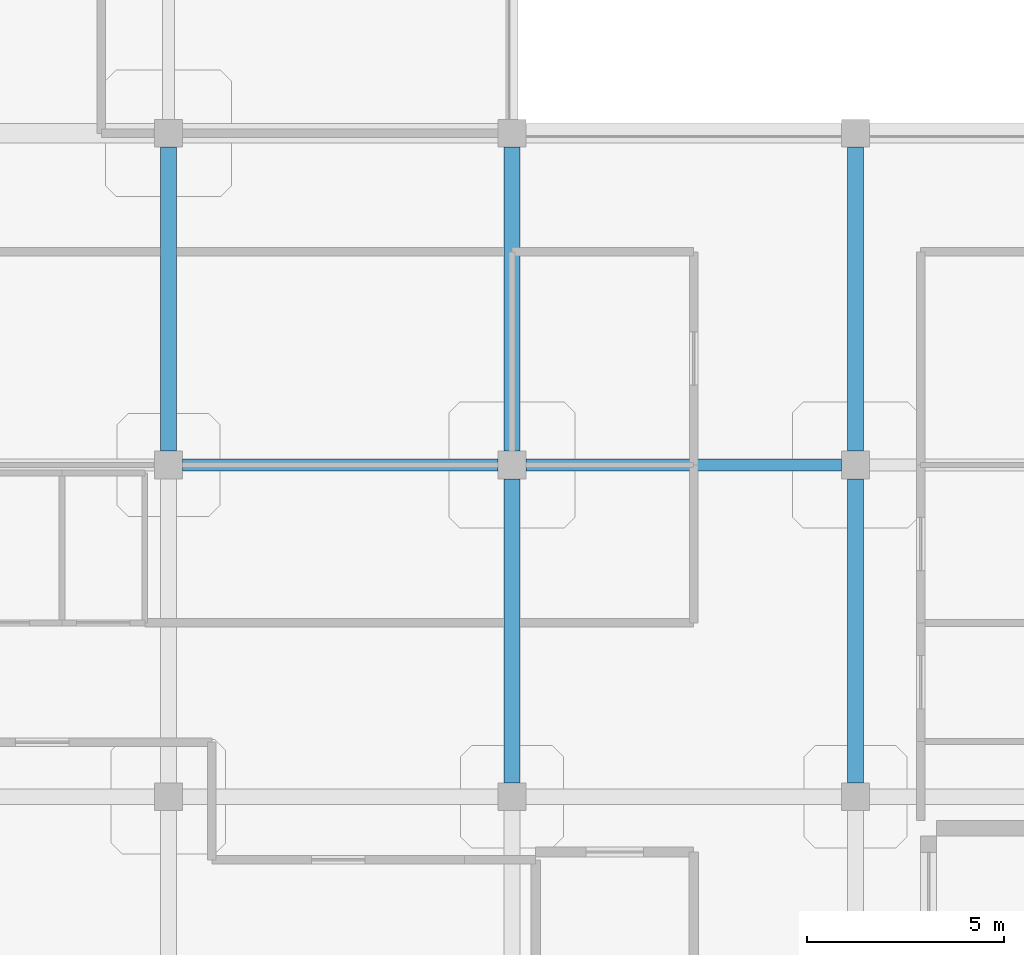
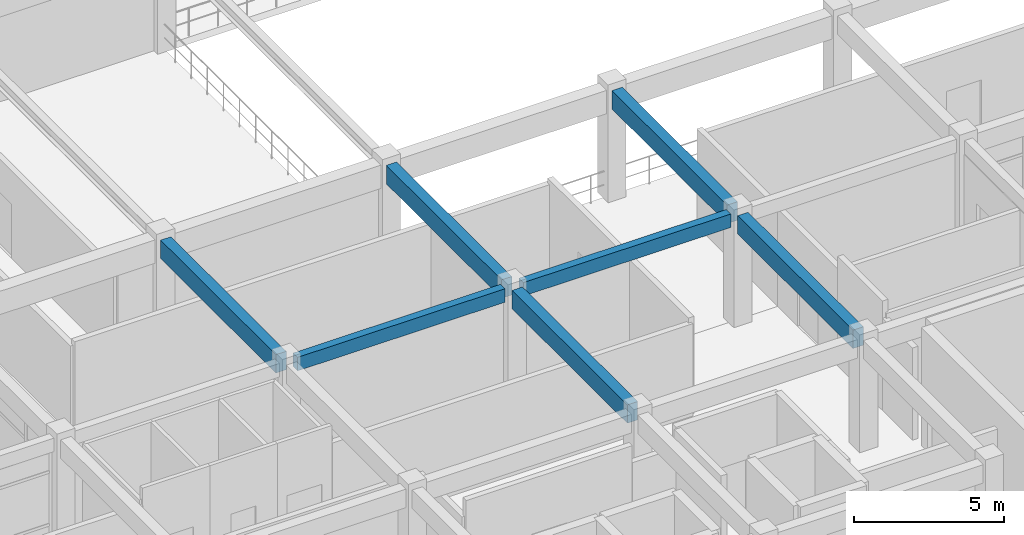
# One storey, part 17 of 64: 7 beams.
"""IFC4 building model written with IfcOpenShell, lengths in metres."""

import ifcopenshell
import ifcopenshell.guid

model = None  # the IFC model being written
_history = None  # IfcOwnerHistory: only IFC2X3 demands one
_inside = {}  # id of a spatial element -> (the spatial element, [elements in it])
_under = {}  # id of a project, library or spatial element -> (it, [spatial elements below it])
_declared = {}  # id of a project -> (the project, [libraries it declares])
_typed = {}  # id of a type object -> (the type object, [elements of that type])
_made_of = {}  # id of a material, layer set ... -> (it, [elements and type objects made of it])


def new_model(schema):
    """Start an empty IFC model of exactly this schema.

    Asked for "IFC4X3", IfcOpenShell would pick the latest addendum, in which some entities
    have other attributes; the version numbers below select the first issue.
    IFC2X3 requires an IfcOwnerHistory on every rooted entity: one is made here for all.
    """
    global model, _history
    if schema == "IFC4X3":
        model = ifcopenshell.file(schema_version=(4, 3, 0, 0))
    else:
        model = ifcopenshell.file(schema=schema)
    _inside.clear()
    _under.clear()
    _declared.clear()
    _typed.clear()
    _made_of.clear()
    _history = None
    if model.schema == "IFC2X3":
        org = make("IfcOrganization", Name="unknown")
        user = make(
            "IfcPersonAndOrganization",
            ThePerson=make("IfcPerson", FamilyName="unknown"),
            TheOrganization=org,
        )
        app = make(
            "IfcApplication",
            ApplicationDeveloper=org,
            Version="unknown",
            ApplicationFullName="unknown",
            ApplicationIdentifier="unknown",
        )
        _history = make(
            "IfcOwnerHistory",
            OwningUser=user,
            OwningApplication=app,
            ChangeAction="ADDED",
            CreationDate=0,
        )
    return model


def make(cls, **values):
    """One entity of the class cls with the attributes given. An attribute that is None is left unset."""
    return model.create_entity(
        cls, **{name: value for name, value in values.items() if value is not None}
    )


def rooted(cls, **values):
    """An entity with a GlobalId (a new one), such as an element, a storey or a relation."""
    return make(cls, GlobalId=ifcopenshell.guid.new(), OwnerHistory=_history, **values)


def si_unit(unit_type, name, prefix=None):
    """IfcSIUnit, for example si_unit("LENGTHUNIT", "METRE", prefix="MILLI")."""
    return make("IfcSIUnit", UnitType=unit_type, Prefix=prefix, Name=name)


def derived_unit(unit_type, elements):
    """IfcDerivedUnit: a product of units, each with its exponent."""
    return make(
        "IfcDerivedUnit",
        Elements=[
            make("IfcDerivedUnitElement", Unit=unit, Exponent=power)
            for unit, power in elements
        ],
        UnitType=unit_type,
    )


def assignment(units):
    """IfcUnitAssignment: the units of a project."""
    return None if units is None else make("IfcUnitAssignment", Units=units)


def point(xyz):
    """IfcCartesianPoint."""
    return None if xyz is None else make("IfcCartesianPoint", Coordinates=xyz)


def direction(xyz):
    """IfcDirection."""
    return None if xyz is None else make("IfcDirection", DirectionRatios=xyz)


def frame(location, z_axis=None, x_axis=None):
    """IfcAxis2Placement3D, a coordinate frame: its origin and axes. An axis left out is left unset."""
    return make(
        "IfcAxis2Placement3D",
        Location=point(location),
        Axis=direction(z_axis),
        RefDirection=direction(x_axis),
    )


def frame_2d(location, x_axis=None):
    """IfcAxis2Placement2D, a coordinate frame in the plane: its origin and x axis."""
    return make(
        "IfcAxis2Placement2D", Location=point(location), RefDirection=direction(x_axis)
    )


def origin():
    """The frame at (0, 0, 0) with its axes left unset."""
    return frame((0.0, 0.0, 0.0))


def origin_2d():
    """The frame at (0, 0) in the plane with its x axis left unset."""
    return frame_2d((0.0, 0.0))


def place(relative_to, where):
    """IfcLocalPlacement: puts the frame where relative to a parent placement (None: the world)."""
    return make(
        "IfcLocalPlacement", PlacementRelTo=relative_to, RelativePlacement=where
    )


def context(
    kind, dimensions, precision=None, world=None, true_north=None, identifier=None
):
    """IfcGeometricRepresentationContext, for example the 3D "Model" context."""
    return make(
        "IfcGeometricRepresentationContext",
        ContextIdentifier=identifier,
        ContextType=kind,
        CoordinateSpaceDimension=dimensions,
        Precision=precision,
        WorldCoordinateSystem=world,
        TrueNorth=true_north,
    )


def subcontext(parent, identifier, kind, view, scale=None):
    """IfcGeometricRepresentationSubContext, for example "Body" below "Model"."""
    return make(
        "IfcGeometricRepresentationSubContext",
        ContextIdentifier=identifier,
        ContextType=kind,
        ParentContext=parent,
        TargetScale=scale,
        TargetView=view,
    )


def project(units=None, contexts=None):
    """IfcProject with its units and contexts."""
    return rooted(
        "IfcProject",
        Name="project",
        RepresentationContexts=contexts,
        UnitsInContext=assignment(units),
    )


def spatial(cls, under=None, at=None, **own):
    """A site, building, storey or space (cls), placed at a placement, below another one or the project."""
    s = rooted(cls, ObjectPlacement=at, **own)
    if under is not None:
        _under.setdefault(under.id(), (under, []))[1].append(s)
    return s


def profile(cls, at=None, kind="AREA", **sizes):
    """A parametric profile (cls). Its sizes go by their IFC names, for example OverallWidth=200.0."""
    return make(cls, ProfileType=kind, Position=at, **sizes)


def rectangle(**sizes):
    """IfcRectangleProfileDef."""
    return profile("IfcRectangleProfileDef", **sizes)


def extrude(swept, where, along, depth):
    """IfcExtrudedAreaSolid: the profile swept, set in the frame where, extruded along a direction by depth."""
    return make(
        "IfcExtrudedAreaSolid",
        SweptArea=swept,
        Position=where,
        ExtrudedDirection=direction(along),
        Depth=depth,
    )


def shape(context_of_items, identifier, shape_type, items):
    """IfcShapeRepresentation: the items that make up one representation, for example the "Body"."""
    return make(
        "IfcShapeRepresentation",
        ContextOfItems=context_of_items,
        RepresentationIdentifier=identifier,
        RepresentationType=shape_type,
        Items=items,
    )


def material(Name=None, Category=None):
    """IfcMaterial."""
    return make("IfcMaterial", Name=Name, Category=Category)


def material_profile(
    of_material, cross_section, Name=None, Category=None, Priority=None
):
    """IfcMaterialProfile: a cross section and its material."""
    return make(
        "IfcMaterialProfile",
        Name=Name,
        Material=of_material,
        Profile=cross_section,
        Priority=Priority,
        Category=Category,
    )


def profile_set(profiles, Name=None, composite=None):
    """IfcMaterialProfileSet."""
    return make(
        "IfcMaterialProfileSet",
        Name=Name,
        MaterialProfiles=profiles,
        CompositeProfile=composite,
    )


def made_of(thing, what):
    """Note that an element or type object is made of a material, layer set ...; save() writes the relation."""
    if what is not None:
        _made_of.setdefault(what.id(), (what, []))[1].append(thing)
    return thing


def type_object(cls, material=None, **own):
    """A type object (cls), such as IfcWallType, which elements share."""
    return made_of(rooted(cls, **own), material)


def element(
    cls,
    number,
    at=None,
    inside=None,
    cuts=None,
    type_object=None,
    material=None,
    context=None,
    identifier="Body",
    shape_type=None,
    held_by="IfcProductDefinitionShape",
    body=None,
    shapes=None,
    **own,
):
    """One element of the class cls, such as IfcWall. Its Tag is "e" and its number.

    at: its placement. inside: the storey or other place that contains it. cuts: it is an
    opening in that element (IfcRelVoidsElement). A single representation is given by context,
    identifier, shape_type and body (its items); several are given by shapes. held_by: the class
    of the entity that holds the representations. save() writes the other relations.
    """
    e = rooted(cls, Tag="e%d" % number, ObjectPlacement=at, **own)
    if body is not None:
        shapes = [shape(context, identifier, shape_type, body)]
    if shapes is not None:
        e.Representation = make(held_by, Representations=shapes)
    if inside is not None:
        _inside.setdefault(inside.id(), (inside, []))[1].append(e)
    if cuts is not None:
        rooted(
            "IfcRelVoidsElement", RelatingBuildingElement=cuts, RelatedOpeningElement=e
        )
    if type_object is not None:
        _typed.setdefault(type_object.id(), (type_object, []))[1].append(e)
    return made_of(e, material)


def aggregate(whole, parts):
    """IfcRelAggregates: a whole, such as a stair, and the parts it consists of."""
    return rooted("IfcRelAggregates", RelatingObject=whole, RelatedObjects=parts)


def save(model, path):
    """Write the relations noted so far, then the file.

    IfcRelAggregates (storeys below a building ...), IfcRelContainedInSpatialStructure (elements
    in a storey), IfcRelDefinesByType, IfcRelAssociatesMaterial and IfcRelDeclares: one each for
    every whole, place, type object, material and project.
    """
    for whole, parts in _under.values():
        aggregate(whole, parts)
    for where, things in _inside.values():
        rooted(
            "IfcRelContainedInSpatialStructure",
            RelatedElements=things,
            RelatingStructure=where,
        )
    for kind, things in _typed.values():
        rooted("IfcRelDefinesByType", RelatedObjects=things, RelatingType=kind)
    for what, things in _made_of.values():
        rooted("IfcRelAssociatesMaterial", RelatedObjects=things, RelatingMaterial=what)
    for by, libraries in _declared.values():
        rooted("IfcRelDeclares", RelatingContext=by, RelatedDefinitions=libraries)
    model.write(path)


model = new_model("IFC4")

# Units and contexts
model_context = context("Model", 3, precision=1e-05, world=origin(), true_north=direction((0.0, 1.0)))
body_context = subcontext(model_context, "Body", "Model", "MODEL_VIEW")
ifc_project = project(units=[si_unit("LENGTHUNIT", "METRE"), si_unit("AREAUNIT", "SQUARE_METRE"), si_unit("VOLUMEUNIT", "CUBIC_METRE"), si_unit("PLANEANGLEUNIT", "RADIAN"), si_unit("MASSUNIT", "GRAM", prefix="KILO"), derived_unit("THERMALTRANSMITTANCEUNIT", [(si_unit("MASSUNIT", "GRAM", prefix="KILO"), 1), (si_unit("TIMEUNIT", "SECOND"), -3), (si_unit("THERMODYNAMICTEMPERATUREUNIT", "KELVIN"), -1)])], contexts=[model_context])

# Site, building, storey
site_placement = place(None, origin())
site = spatial("IfcSite", under=ifc_project, at=site_placement, CompositionType="ELEMENT")
building_placement = place(site_placement, origin())
building = spatial("IfcBuilding", under=site, at=building_placement, Name="Qinzheling Arcade Emporium", CompositionType="ELEMENT")
storey_placement = place(building_placement, frame((0.0, 0.0, 31.5)))
storey = spatial("IfcBuildingStorey", under=building, at=storey_placement, Name="L07", CompositionType="ELEMENT", Elevation=31.5)

# Beams
ifc_material = material(Name="Concrete C40", Category="concrete")
ifc_material_profile_1 = material_profile(ifc_material, rectangle(XDim=0.39990234375, YDim=0.75, at=origin_2d()), Name="RC 400x750", Category="concrete")
ifc_profile_set_1 = profile_set([ifc_material_profile_1], Name="Concrete C40")
beam_type_1 = type_object("IfcBeamType", Name="RC Interior Tie Beam 400x750 C40", PredefinedType="BEAM", material=ifc_profile_set_1)
for number, where, z_axis, x_axis, name in (
    (1, (43.5, 42.35009765625, 4.14501953125), (0.0, 1.0, 0.0), (-1.0, 0.0, 0.0), "Beam BM-L07-Y-6-F"),
    (2, (52.199951171875, 33.949951171875, 4.14501953125), (0.0, 1.0, 0.0), (-1.0, 0.0, 0.0), "Beam BM-L07-Y-7-E"),
    (3, (52.199951171875, 42.35009765625, 4.14501953125), (0.0, 1.0, 0.0), (-1.0, 0.0, 0.0), "Beam BM-L07-Y-7-F"),
    (4, (60.89990234375, 33.949951171875, 4.14501953125), (0.0, 1.0, 0.0), (-1.0, 0.0, 0.0), "Beam BM-L07-Y-8-E"),
    (5, (60.89990234375, 42.35009765625, 4.14501953125), (0.0, 1.0, 0.0), (-1.0, 0.0, 0.0), "Beam BM-L07-Y-8-F"),
):
    element("IfcBeam", number, at=place(storey_placement, frame(where, z_axis=z_axis, x_axis=x_axis)), inside=storey, type_object=beam_type_1, Name=name, PredefinedType="BEAM", context=body_context, shape_type="SweptSolid", body=[
        extrude(rectangle(XDim=0.39990234375, YDim=0.75, at=origin_2d()), origin(), (0.0, 0.0, 1.0), 7.699951171875),
    ])
ifc_material_profile_2 = material_profile(ifc_material, rectangle(XDim=0.300048828125, YDim=0.550048828125, at=origin_2d()), Name="RC 300x550", Category="concrete")
ifc_profile_set_2 = profile_set([ifc_material_profile_2], Name="Concrete C40")
beam_type_2 = type_object("IfcBeamType", Name="RC Terrace Spandrel Beam 300x550 C40", PredefinedType="SPANDREL", material=ifc_profile_set_2)
for number, where, z_axis, x_axis, name in (
    (6, (43.85009765625, 42.0, 4.2451171875), (1.0, 0.0, 0.0), (0.0, 1.0, 0.0), "Beam BM-L07-X-F-6"),
    (7, (52.550048828125, 42.0, 4.2451171875), (1.0, 0.0, 0.0), (0.0, 1.0, 0.0), "Beam BM-L07-X-F-7"),
):
    element("IfcBeam", number, at=place(storey_placement, frame(where, z_axis=z_axis, x_axis=x_axis)), inside=storey, type_object=beam_type_2, Name=name, PredefinedType="SPANDREL", context=body_context, shape_type="SweptSolid", body=[
        extrude(rectangle(XDim=0.300048828125, YDim=0.550048828125, at=origin_2d()), origin(), (0.0, 0.0, 1.0), 8.0),
    ])

save(model, "model.ifc")
